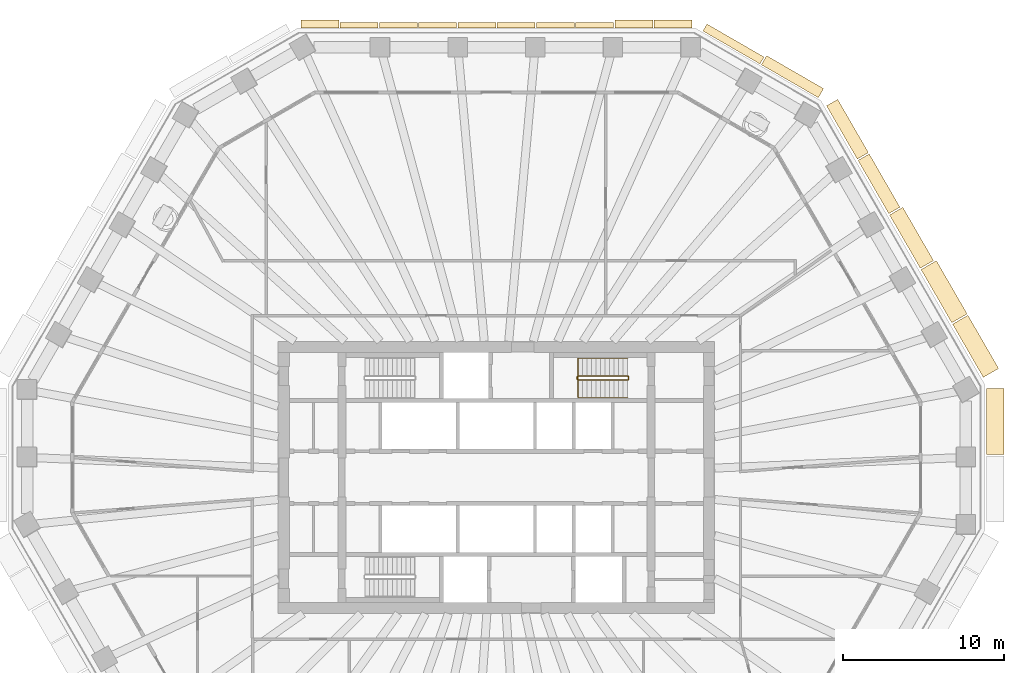
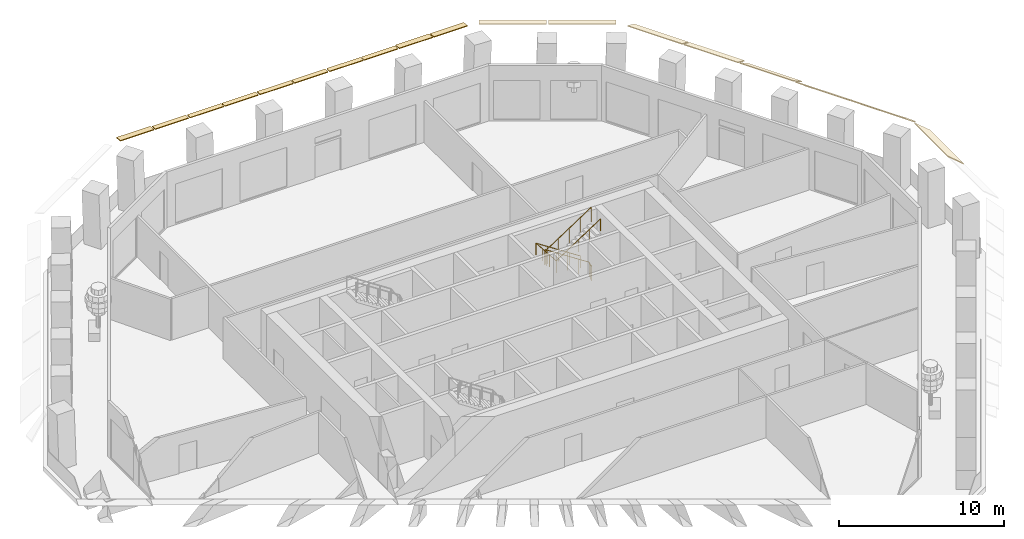
# One storey, part 11 of 13: 18 coverings, 2 railings.
"""IFC4 building model written with IfcOpenShell, lengths in metres."""

from ifc_helpers import new_model, si_unit, direction, frame, origin, origin_2d, place, context, subcontext, project, spatial, polyline, circle, outline, extrude, material, layer, layer_set, type_object, element, save


model = new_model("IFC4")

# Units and contexts
model_context = context("Model", 3, precision=1e-05, world=origin(), true_north=direction((0.0, 1.0)))
body_context = subcontext(model_context, "Body", "Model", "MODEL_VIEW")
ifc_project = project(units=[si_unit("LENGTHUNIT", "METRE"), si_unit("AREAUNIT", "SQUARE_METRE"), si_unit("VOLUMEUNIT", "CUBIC_METRE"), si_unit("PLANEANGLEUNIT", "RADIAN"), si_unit("MASSUNIT", "GRAM", prefix="KILO")], contexts=[model_context])

# Site, building, storey
site_placement = place(None, origin())
site = spatial("IfcSite", under=ifc_project, at=site_placement, CompositionType="ELEMENT")
building_placement = place(site_placement, origin())
building = spatial("IfcBuilding", under=site, at=building_placement, Name="Frailejon Research Tower", CompositionType="ELEMENT")
storey_placement = place(building_placement, frame((0.0, 0.0, 184.800048828125)))
storey = spatial("IfcBuildingStorey", under=building, at=storey_placement, Name="L40", CompositionType="ELEMENT", Elevation=184.800048828125)

# Coverings
ifc_material_1 = material(Name="Precast concrete C50/60", Category="concrete")
ifc_layer_1 = layer(ifc_material_1, 0.06005859375)
ifc_layer_set_1 = layer_set([ifc_layer_1], Name="Brim blade depth 1100")
covering_type_1 = type_object("IfcCoveringType", Name="Brim blade depth 1100", PredefinedType="CLADDING", material=ifc_layer_set_1)
covering_1_placement = place(storey_placement, frame((30.4111328125, 5.520263671875, 4.25), z_axis=(0.0, -1.0, 0.0), x_axis=(1.0, 0.0, 0.0)))
element("IfcCovering", 1, at=covering_1_placement, inside=storey, type_object=covering_type_1, Name="Brim blade L40", PredefinedType="CLADDING", context=body_context, shape_type="SweptSolid", body=[
    extrude(outline(polyline([(0.0, -0.078369140625), (1.10009765625, -1.001220703125), (1.10009765625, -0.923095703125), (0.0, 0.0), (0.0, -0.078369140625)])), origin(), (0.0, 0.0, 1.0), 4.08740234375),
])
covering_2_placement = place(storey_placement, frame((28.319091796875, 9.515380859375, 4.25), z_axis=(0.500001217064, -0.866024701111, 0.0), x_axis=(0.866024701111, 0.500001217064, 0.0)))
element("IfcCovering", 2, at=covering_2_placement, inside=storey, type_object=covering_type_1, Name="Brim blade L40", PredefinedType="CLADDING", context=body_context, shape_type="SweptSolid", body=[
    extrude(outline(polyline([(0.0, -0.078369140625), (1.10009765625, -1.001220703125), (1.10009765625, -0.923095703125), (0.0, 0.0), (0.0, -0.078369140625)])), origin(), (0.0, 0.0, 1.0), 3.8125),
])
covering_3_placement = place(storey_placement, frame((26.36279296875, 12.90380859375, 4.25), z_axis=(0.499990149831, -0.866031090707, 0.0), x_axis=(0.866031090707, 0.499990149831, 0.0)))
element("IfcCovering", 3, at=covering_3_placement, inside=storey, type_object=covering_type_1, Name="Brim blade L40", PredefinedType="CLADDING", context=body_context, shape_type="SweptSolid", body=[
    extrude(outline(polyline([(0.0, -0.078369140625), (1.10009765625, -1.001220703125), (1.10009765625, -0.923095703125), (0.0, 0.0), (0.0, -0.078369140625)])), origin(), (0.0, 0.0, 1.0), 3.812744140625),
])
ifc_material_2 = material(Name="Precast concrete C50/60", Category="concrete")
ifc_layer_2 = layer(ifc_material_2, 0.06005859375)
ifc_layer_set_2 = layer_set([ifc_layer_2], Name="Brim blade depth 350")
covering_type_2 = type_object("IfcCoveringType", Name="Brim blade depth 350", PredefinedType="CLADDING", material=ifc_layer_set_2)
for number, where, z_axis, x_axis, name in (
    (4, (4.900634765625, 27.89990234375, 4.25), (1.0, 0.0, 0.0), (0.0, 1.0, 0.0), "Brim blade L40"),
    (5, (2.4853515625, 27.89990234375, 4.25), (1.0, 0.0, 0.0), (0.0, 1.0, 0.0), "Brim blade L40"),
    (6, (0.030029296875, 27.89990234375, 4.25), (1.0, 0.0, 0.0), (0.0, 1.0, 0.0), "Brim blade L40"),
    (7, (-2.38525390625, 27.89990234375, 4.25), (1.0, 0.0, 0.0), (0.0, 1.0, 0.0), "Brim blade L40"),
    (8, (-4.840576171875, 27.89990234375, 4.25), (1.0, 0.0, 0.0), (0.0, 1.0, 0.0), "Brim blade L40"),
    (9, (-7.255859375, 27.89990234375, 4.25), (1.0, 0.0, 0.0), (0.0, 1.0, 0.0), "Brim blade L40"),
    (10, (-9.711181640625, 27.89990234375, 4.25), (1.0, 0.0, 0.0), (0.0, 1.0, 0.0), "Brim blade L40"),
):
    element("IfcCovering", number, at=place(storey_placement, frame(where, z_axis=z_axis, x_axis=x_axis)), inside=storey, type_object=covering_type_2, Name=name, PredefinedType="CLADDING", context=body_context, shape_type="SweptSolid", body=[
        extrude(outline(polyline([(0.0, -0.06005859375), (0.35009765625, -0.06005859375), (0.35009765625, 0.0), (0.0, 0.0), (0.0, -0.06005859375)])), origin(), (0.0, 0.0, 1.0), 2.355224609375),
    ])
ifc_material_3 = material(Name="Precast concrete C50/60", Category="concrete")
ifc_layer_3 = layer(ifc_material_3, 0.06005859375)
ifc_layer_set_3 = layer_set([ifc_layer_3], Name="Brim blade depth 500")
covering_type_3 = type_object("IfcCoveringType", Name="Brim blade depth 500", PredefinedType="CLADDING", material=ifc_layer_set_3)
covering_4_placement = place(storey_placement, frame((12.81982421875, 27.714111328125, 4.25), z_axis=(0.866027315287, -0.499996689166, 0.0), x_axis=(0.499996689166, 0.866027315287, 0.0)))
element("IfcCovering", 11, at=covering_4_placement, inside=storey, type_object=covering_type_3, Name="Brim blade L40", PredefinedType="CLADDING", context=body_context, shape_type="SweptSolid", body=[
    extrude(outline(polyline([(0.0, -0.060546875), (0.5, -0.130859375), (0.5, -0.0703125), (0.0, 0.0), (0.0, -0.060546875)])), origin(), (0.0, 0.0, 1.0), 4.087646484375),
])
for number, where, z_axis, x_axis, name in (
    (12, (9.771240234375, 27.89990234375, 4.25), (1.0, 0.0, 0.0), (0.0, 1.0, 0.0), "Brim blade L40"),
    (13, (7.35595703125, 27.89990234375, 4.25), (1.0, 0.0, 0.0), (0.0, 1.0, 0.0), "Brim blade L40"),
    (14, (-12.12646484375, 27.89990234375, 4.25), (1.0, 0.0, 0.0), (0.0, 1.0, 0.0), "Brim blade L40"),
):
    element("IfcCovering", number, at=place(storey_placement, frame(where, z_axis=z_axis, x_axis=x_axis)), inside=storey, type_object=covering_type_3, Name=name, PredefinedType="CLADDING", context=body_context, shape_type="SweptSolid", body=[
        extrude(outline(polyline([(0.0, -0.060546875), (0.5, -0.130859375), (0.5, -0.0703125), (0.0, 0.0), (0.0, -0.060546875)])), origin(), (0.0, 0.0, 1.0), 2.355224609375),
    ])
ifc_material_4 = material(Name="Precast concrete C50/60", Category="concrete")
ifc_layer_4 = layer(ifc_material_4, 0.06005859375)
ifc_layer_set_4 = layer_set([ifc_layer_4], Name="Brim blade depth 650")
covering_type_4 = type_object("IfcCoveringType", Name="Brim blade depth 650", PredefinedType="CLADDING", material=ifc_layer_set_4)
covering_5_placement = place(storey_placement, frame((16.4462890625, 25.620361328125, 4.25), z_axis=(0.866021344981, -0.500007029989, 0.0), x_axis=(0.500007029989, 0.866021344981, 0.0)))
element("IfcCovering", 15, at=covering_5_placement, inside=storey, type_object=covering_type_4, Name="Brim blade L40", PredefinedType="CLADDING", context=body_context, shape_type="SweptSolid", body=[
    extrude(outline(polyline([(0.0, -0.0625), (0.64990234375, -0.248779296875), (0.64990234375, -0.186279296875), (0.0, 0.0), (0.0, -0.0625)])), origin(), (0.0, 0.0, 1.0), 4.08740234375),
])
ifc_material_5 = material(Name="Precast concrete C50/60", Category="concrete")
ifc_layer_5 = layer(ifc_material_5, 0.06005859375)
ifc_layer_set_5 = layer_set([ifc_layer_5], Name="Brim blade depth 800")
covering_type_5 = type_object("IfcCoveringType", Name="Brim blade depth 800", PredefinedType="CLADDING", material=ifc_layer_set_5)
for number, where, z_axis, x_axis, name in (
    (16, (22.4501953125, 19.6806640625, 4.25), (0.500001217064, -0.866024701111, 0.0), (0.866024701111, 0.500001217064, 0.0), "Brim blade L40"),
    (17, (20.493896484375, 23.069091796875, 4.25), (0.500001217064, -0.866024701111, 0.0), (0.866024701111, 0.500001217064, 0.0), "Brim blade L40"),
):
    element("IfcCovering", number, at=place(storey_placement, frame(where, z_axis=z_axis, x_axis=x_axis)), inside=storey, type_object=covering_type_5, Name=name, PredefinedType="CLADDING", context=body_context, shape_type="SweptSolid", body=[
        extrude(outline(polyline([(0.0, -0.065673828125), (0.800048828125, -0.421875), (0.800048828125, -0.356201171875), (0.0, 0.0), (0.0, -0.065673828125)])), origin(), (0.0, 0.0, 1.0), 3.8125),
    ])
ifc_material_6 = material(Name="Precast concrete C50/60", Category="concrete")
ifc_layer_6 = layer(ifc_material_6, 0.06005859375)
ifc_layer_set_6 = layer_set([ifc_layer_6], Name="Brim blade depth 950")
covering_type_6 = type_object("IfcCoveringType", Name="Brim blade depth 950", PredefinedType="CLADDING", material=ifc_layer_set_6)
covering_6_placement = place(storey_placement, frame((24.406494140625, 16.292236328125, 4.25), z_axis=(0.500001217064, -0.866024701111, 0.0), x_axis=(0.866024701111, 0.500001217064, 0.0)))
element("IfcCovering", 18, at=covering_6_placement, inside=storey, type_object=covering_type_6, Name="Brim blade L40", PredefinedType="CLADDING", context=body_context, shape_type="SweptSolid", body=[
    extrude(outline(polyline([(0.0, -0.07080078125), (0.949951171875, -0.664306640625), (0.949951171875, -0.593505859375), (0.0, 0.0), (0.0, -0.07080078125)])), origin(), (0.0, 0.0, 1.0), 3.8125),
])

# Railings
ifc_material_7 = material(Name="Stainless steel", Category="steel")
railing_type_1 = type_object("IfcRailingType", Name="Stair guard 1100", PredefinedType="GUARDRAIL", material=ifc_material_7)
railing_1_placement = place(storey_placement, frame((8.199951171875, 6.10009765625, 0.0)))
element("IfcRailing", 19, at=railing_1_placement, inside=storey, type_object=railing_type_1, Name="L40 ST3 stair guard 1", PredefinedType="GUARDRAIL", context=body_context, shape_type="SweptSolid", body=[
    extrude(circle(Radius=0.02392578125, at=origin_2d()), frame((0.0, 0.0, 1.076171875), z_axis=(0.0, 1.0, 0.0), x_axis=(-1.0, 0.0, 0.0)), (0.0, 0.0, 1.0), 0.14990234375),
    extrude(circle(Radius=0.02392578125, at=origin_2d()), frame((0.0, 0.14990234375, 1.076171875), z_axis=(-0.254653276557, 0.254653276557, 0.932900539971), x_axis=(-0.707106781187, -0.707106781187, 0.0)), (0.0, 0.0, 1.0), 0.196533203125),
    extrude(circle(Radius=0.02392578125, at=origin_2d()), frame((-0.050048828125, 0.199951171875, 1.25927734375), z_axis=(-0.836613101238, 0.0, 0.547794230379), x_axis=(0.0, -1.0, 0.0)), (0.0, 0.0, 1.0), 3.681396484375),
    extrude(circle(Radius=0.02392578125, at=origin_2d()), frame((-3.1298828125, 0.199951171875, 3.27587890625), z_axis=(-0.707106781187, -0.707106781187, 0.0), x_axis=(0.707106781187, -0.707106781187, 0.0)), (0.0, 0.0, 1.0), 0.07080078125),
    extrude(circle(Radius=0.02392578125, at=origin_2d()), frame((-3.179931640625, 0.14990234375, 3.27587890625), z_axis=(0.0, -1.0, 0.0), x_axis=(1.0, 0.0, 0.0)), (0.0, 0.0, 1.0), 0.14990234375),
    extrude(circle(Radius=0.02392578125, at=origin_2d()), frame((-3.179931640625, 0.0, 3.27587890625), z_axis=(0.254653276557, -0.254653276557, 0.932900539971), x_axis=(0.707106781187, 0.707106781187, 0.0)), (0.0, 0.0, 1.0), 0.196533203125),
    extrude(circle(Radius=0.02392578125, at=origin_2d()), frame((-3.1298828125, -0.050048828125, 3.45947265625), z_axis=(0.836613101238, 0.0, 0.547794230379), x_axis=(0.0, 1.0, 0.0)), (0.0, 0.0, 1.0), 3.681396484375),
    extrude(circle(Radius=0.02099609375, at=origin_2d()), origin(), (0.0, 0.0, 1.0), 1.052001953125),
    extrude(circle(Radius=0.02099609375, at=origin_2d()), frame((0.0, 0.14990234375, 0.0)), (0.0, 0.0, 1.0), 1.052001953125),
    extrude(circle(Radius=0.02099609375, at=origin_2d()), frame((-0.050048828125, 0.199951171875, 0.183349609375)), (0.0, 0.0, 1.0), 1.052001953125),
    extrude(circle(Radius=0.02099609375, at=origin_2d()), frame((-0.820068359375, 0.199951171875, 0.6875)), (0.0, 0.0, 1.0), 1.052001953125),
    extrude(circle(Radius=0.02099609375, at=origin_2d()), frame((-1.58984375, 0.199951171875, 1.191650390625)), (0.0, 0.0, 1.0), 1.052001953125),
    extrude(circle(Radius=0.02099609375, at=origin_2d()), frame((-2.35986328125, 0.199951171875, 1.69580078125)), (0.0, 0.0, 1.0), 1.052001953125),
    extrude(circle(Radius=0.02099609375, at=origin_2d()), frame((-3.1298828125, 0.199951171875, 2.199951171875)), (0.0, 0.0, 1.0), 1.052001953125),
    extrude(circle(Radius=0.02099609375, at=origin_2d()), frame((-3.179931640625, 0.14990234375, 2.199951171875)), (0.0, 0.0, 1.0), 1.052001953125),
    extrude(circle(Radius=0.02099609375, at=origin_2d()), frame((-3.179931640625, 0.0, 2.199951171875)), (0.0, 0.0, 1.0), 1.052001953125),
    extrude(circle(Radius=0.02099609375, at=origin_2d()), frame((-3.1298828125, -0.050048828125, 2.38330078125)), (0.0, 0.0, 1.0), 1.052001953125),
    extrude(circle(Radius=0.02099609375, at=origin_2d()), frame((-2.35986328125, -0.050048828125, 2.887451171875)), (0.0, 0.0, 1.0), 1.052001953125),
    extrude(circle(Radius=0.02099609375, at=origin_2d()), frame((-1.58984375, -0.050048828125, 3.3916015625)), (0.0, 0.0, 1.0), 1.052001953125),
    extrude(circle(Radius=0.02099609375, at=origin_2d()), frame((-0.820068359375, -0.050048828125, 3.895751953125)), (0.0, 0.0, 1.0), 1.052001953125),
    extrude(circle(Radius=0.02099609375, at=origin_2d()), frame((-0.050048828125, -0.050048828125, 4.39990234375)), (0.0, 0.0, 1.0), 1.052001953125),
])
ifc_material_8 = material(Name="Stainless steel", Category="steel")
railing_type_2 = type_object("IfcRailingType", Name="Stair handrail 900", PredefinedType="HANDRAIL", material=ifc_material_8)
railing_2_placement = place(storey_placement, frame((8.14990234375, 7.39990234375, 0.183349609375)))
element("IfcRailing", 20, at=railing_2_placement, inside=storey, type_object=railing_type_2, Name="L40 ST3 stair handrail 1", PredefinedType="HANDRAIL", context=body_context, shape_type="SweptSolid", body=[
    extrude(circle(Radius=0.02392578125, at=origin_2d()), frame((0.0, 0.0, 0.8759765625), z_axis=(-0.836613101238, 0.0, 0.547794230379), x_axis=(0.0, -1.0, 0.0)), (0.0, 0.0, 1.0), 3.681396484375),
    extrude(circle(Radius=0.02392578125, at=origin_2d()), frame((-3.079833984375, 0.0, 2.892578125), z_axis=(0.0, -0.99721134034, 0.074629368868), x_axis=(1.0, 0.0, 0.0)), (0.0, 0.0, 1.0), 2.456787109375),
    extrude(circle(Radius=0.02392578125, at=origin_2d()), frame((-3.079833984375, -2.449951171875, 3.07568359375), z_axis=(0.836613101238, 0.0, 0.547794230379), x_axis=(0.0, 1.0, 0.0)), (0.0, 0.0, 1.0), 3.681396484375),
    extrude(circle(Radius=0.02099609375, at=origin_2d()), origin(), (0.0, 0.0, 1.0), 0.851806640625),
    extrude(circle(Radius=0.02099609375, at=origin_2d()), frame((-0.77001953125, 0.0, 0.504150390625)), (0.0, 0.0, 1.0), 0.851806640625),
    extrude(circle(Radius=0.02099609375, at=origin_2d()), frame((-1.5400390625, 0.0, 1.00830078125)), (0.0, 0.0, 1.0), 0.851806640625),
    extrude(circle(Radius=0.02099609375, at=origin_2d()), frame((-2.309814453125, 0.0, 1.512451171875)), (0.0, 0.0, 1.0), 0.851806640625),
    extrude(circle(Radius=0.02099609375, at=origin_2d()), frame((-3.079833984375, 0.0, 2.0166015625)), (0.0, 0.0, 1.0), 0.851806640625),
    extrude(circle(Radius=0.02099609375, at=origin_2d()), frame((-3.079833984375, -0.816650390625, 2.07763671875)), (0.0, 0.0, 1.0), 0.851806640625),
    extrude(circle(Radius=0.02099609375, at=origin_2d()), frame((-3.079833984375, -1.63330078125, 2.138916015625)), (0.0, 0.0, 1.0), 0.851806640625),
    extrude(circle(Radius=0.02099609375, at=origin_2d()), frame((-3.079833984375, -2.449951171875, 2.199951171875)), (0.0, 0.0, 1.0), 0.851806640625),
    extrude(circle(Radius=0.02099609375, at=origin_2d()), frame((-2.309814453125, -2.449951171875, 2.7041015625)), (0.0, 0.0, 1.0), 0.851806640625),
    extrude(circle(Radius=0.02099609375, at=origin_2d()), frame((-1.5400390625, -2.449951171875, 3.208251953125)), (0.0, 0.0, 1.0), 0.851806640625),
    extrude(circle(Radius=0.02099609375, at=origin_2d()), frame((-0.77001953125, -2.449951171875, 3.71240234375)), (0.0, 0.0, 1.0), 0.851806640625),
    extrude(circle(Radius=0.02099609375, at=origin_2d()), frame((0.0, -2.449951171875, 4.216552734375)), (0.0, 0.0, 1.0), 0.851806640625),
])

save(model, "model.ifc")
